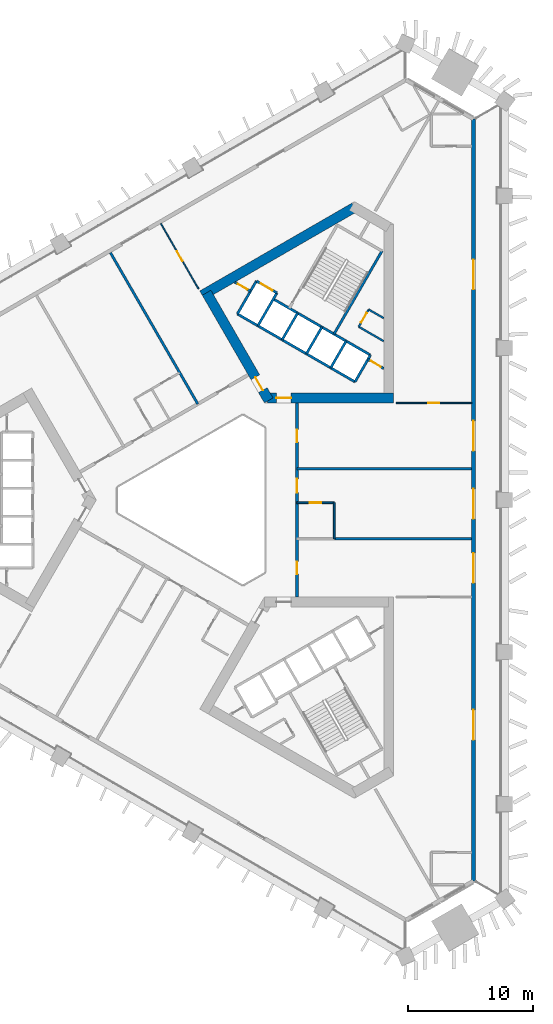
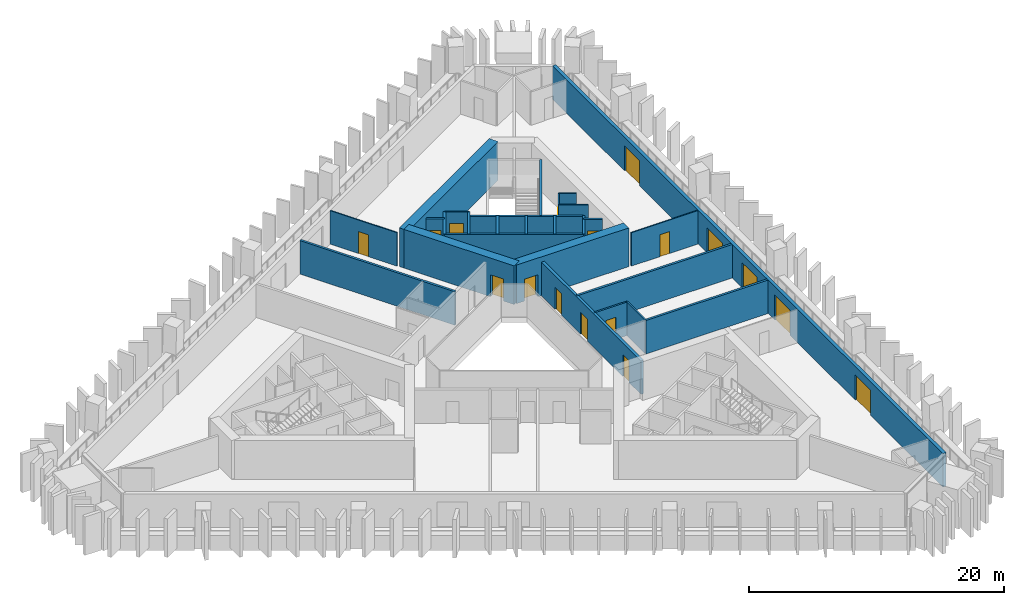
# One storey, part 5 of 10: 27 walls, 17 doors, 17 openings.
"""IFC4 building model written with IfcOpenShell, lengths in metres."""

from ifc_helpers import new_model, si_unit, direction, frame, frame_2d, origin, place, context, subcontext, project, spatial, rectangle, extrude, material, layer, layer_set, type_object, element, fill, save


model = new_model("IFC4")

# Units and contexts
model_context = context("Model", 3, precision=1e-05, world=origin(), true_north=direction((0.0, 1.0)))
body_context = subcontext(model_context, "Body", "Model", "MODEL_VIEW")
ifc_project = project(units=[si_unit("LENGTHUNIT", "METRE"), si_unit("AREAUNIT", "SQUARE_METRE"), si_unit("VOLUMEUNIT", "CUBIC_METRE"), si_unit("PLANEANGLEUNIT", "RADIAN"), si_unit("MASSUNIT", "GRAM", prefix="KILO")], contexts=[model_context])

# Site, building, storey
site_placement = place(None, origin())
site = spatial("IfcSite", under=ifc_project, at=site_placement, CompositionType="ELEMENT")
building_placement = place(site_placement, origin())
building = spatial("IfcBuilding", under=site, at=building_placement, Name="Jabali Bay Hotel Tower and Convention Centre", CompositionType="ELEMENT")
storey_placement = place(building_placement, frame((0.0, 0.0, 41.10009765625)))
storey = spatial("IfcBuildingStorey", under=building, at=storey_placement, Name="L08", CompositionType="ELEMENT", Elevation=41.10009765625)

# Wall, opening, door
ifc_material_1 = material(Name="Concrete C40", Category="concrete")
ifc_layer_1 = layer(ifc_material_1, 0.199951171875)
ifc_layer_set_1 = layer_set([ifc_layer_1], Name="Concrete C40")
wall_type_1 = type_object("IfcWallType", Name="Core partition wall 200", PredefinedType="PARTITIONING", material=ifc_layer_set_1)
wall_1_placement = place(storey_placement, frame((89.080078125, 90.553955078125, 0.0), z_axis=(0.0, 0.0, 1.0), x_axis=(-0.866022048785, 0.500005810984, 0.0)))
wall_1 = element("IfcWall", 1, at=wall_1_placement, inside=storey, type_object=wall_type_1, Name="Core wall 1.11 L08", PredefinedType="PARTITIONING", context=body_context, shape_type="SweptSolid", body=[
    extrude(rectangle(XDim=1.466796875, YDim=0.199951171875, at=frame_2d((0.7333984375, 0.0))), origin(), (0.0, 0.0, 1.0), 3.199951171875),
])
opening_1_placement = place(wall_1_placement, frame((0.283447265625, 0.0, 0.0)))
opening_1 = element("IfcOpeningElement", 2, at=opening_1_placement, cuts=wall_1, Name="Opening D261", PredefinedType="OPENING", context=body_context, shape_type="SweptSolid", body=[
    extrude(rectangle(XDim=0.89990234375, YDim=2.10009765625, at=frame_2d((0.449951171875, 1.050048828125))), frame((0.0, 0.1103515625, 0.0), z_axis=(0.0, -1.0, 0.0), x_axis=(1.0, 0.0, 0.0)), (0.0, 0.0, 1.0), 0.220947265625),
])
ifc_material_2 = material(Name="Fire-rated steel door", Category="steel")
door_type_1 = type_object("IfcDoorType", Name="Vestibule fire door 900 x 2100", OperationType="NOTDEFINED", PredefinedType="NOTDEFINED", material=ifc_material_2)
door_1_placement = place(opening_1_placement, origin())
door_1 = element("IfcDoor", 3, at=door_1_placement, inside=storey, type_object=door_type_1, Name="Vestibule fire door D261", OperationType="SINGLE_SWING_LEFT", OverallHeight=2.10009765625, OverallWidth=0.89990234375, PredefinedType="NOTDEFINED", context=body_context, shape_type="SweptSolid", body=[
    extrude(rectangle(XDim=0.89990234375, YDim=2.10009765625, at=frame_2d((0.449951171875, 1.050048828125))), frame((0.0, 0.02490234375, 0.0), z_axis=(0.0, -1.0, 0.0), x_axis=(1.0, 0.0, 0.0)), (0.0, 0.0, 1.0), 0.050048828125),
])
fill(opening_1, door_1)

wall_2_placement = place(storey_placement, frame((78.380126953125, 96.754638671875, 0.0), z_axis=(0.0, 0.0, 1.0), x_axis=(-0.866003949776, 0.500037157592, 0.0)))
wall_2 = element("IfcWall", 4, at=wall_2_placement, inside=storey, type_object=wall_type_1, Name="Core wall 1.12 L08", PredefinedType="PARTITIONING", context=body_context, shape_type="SweptSolid", body=[
    extrude(rectangle(XDim=1.455078125, YDim=0.199951171875, at=frame_2d((0.7275390625, 0.0))), origin(), (0.0, 0.0, 1.0), 3.199951171875),
])
opening_2_placement = place(wall_2_placement, frame((0.277587890625, 0.0, 0.0)))
opening_2 = element("IfcOpeningElement", 5, at=opening_2_placement, cuts=wall_2, Name="Opening D260", PredefinedType="OPENING", context=body_context, shape_type="SweptSolid", body=[
    extrude(rectangle(XDim=0.89990234375, YDim=2.10009765625, at=frame_2d((0.449951171875, 1.050048828125))), frame((0.0, 0.1103515625, 0.0), z_axis=(0.0, -1.0, 0.0), x_axis=(1.0, 0.0, 0.0)), (0.0, 0.0, 1.0), 0.220947265625),
])
door_2_placement = place(opening_2_placement, origin())
door_2 = element("IfcDoor", 6, at=door_2_placement, inside=storey, type_object=door_type_1, Name="Vestibule fire door D260", OperationType="SINGLE_SWING_LEFT", OverallHeight=2.10009765625, OverallWidth=0.89990234375, PredefinedType="NOTDEFINED", context=body_context, shape_type="SweptSolid", body=[
    extrude(rectangle(XDim=0.89990234375, YDim=2.10009765625, at=frame_2d((0.449951171875, 1.050048828125))), frame((0.0, 0.02490234375, 0.0), z_axis=(0.0, -1.0, 0.0), x_axis=(1.0, 0.0, 0.0)), (0.0, 0.0, 1.0), 0.050048828125),
])
fill(opening_2, door_2)

ifc_material_3 = material(Name="Fire-rated board partition")
ifc_layer_2 = layer(ifc_material_3, 0.14990234375)
ifc_layer_set_2 = layer_set([ifc_layer_2], Name="Fire-rated board partition")
wall_type_2 = type_object("IfcWallType", Name="Core room partition 150", PredefinedType="PARTITIONING", material=ifc_layer_set_2)
wall_3_placement = place(storey_placement, frame((87.071044921875, 93.90771484375, 0.0), z_axis=(0.0, 0.0, 1.0), x_axis=(0.499995408039, 0.866028054938, 0.0)))
wall_3 = element("IfcWall", 7, at=wall_3_placement, inside=storey, type_object=wall_type_2, Name="Core wall 1.1 L08", PredefinedType="PARTITIONING", context=body_context, shape_type="SweptSolid", body=[
    extrude(rectangle(XDim=1.60009765625, YDim=0.14990234375, at=frame_2d((0.800048828125, 0.0))), origin(), (0.0, 0.0, 1.0), 3.199951171875),
])
opening_3_placement = place(wall_3_placement, frame((0.387451171875, 0.0, 0.0)))
opening_3 = element("IfcOpeningElement", 8, at=opening_3_placement, cuts=wall_3, Name="Opening D263", PredefinedType="OPENING", context=body_context, shape_type="SweptSolid", body=[
    extrude(rectangle(XDim=0.89990234375, YDim=2.10009765625, at=frame_2d((0.449951171875, 1.050048828125))), frame((0.0, 0.08544921875, 0.0), z_axis=(0.0, -1.0, 0.0), x_axis=(1.0, 0.0, 0.0)), (0.0, 0.0, 1.0), 0.1708984375),
])
door_type_2 = type_object("IfcDoorType", Name="Core room door 900 x 2100", OperationType="NOTDEFINED", PredefinedType="NOTDEFINED", material=ifc_material_2)
door_3_placement = place(opening_3_placement, origin())
door_3 = element("IfcDoor", 9, at=door_3_placement, inside=storey, type_object=door_type_2, Name="Core room door D263", OperationType="SINGLE_SWING_LEFT", OverallHeight=2.10009765625, OverallWidth=0.89990234375, PredefinedType="NOTDEFINED", context=body_context, shape_type="SweptSolid", body=[
    extrude(rectangle(XDim=0.89990234375, YDim=2.10009765625, at=frame_2d((0.449951171875, 1.050048828125))), frame((0.0, 0.02490234375, 0.0), z_axis=(0.0, -1.0, 0.0), x_axis=(1.0, 0.0, 0.0)), (0.0, 0.0, 1.0), 0.050048828125),
])
fill(opening_3, door_3)

# Walls
wall_4_placement = place(storey_placement, frame((89.080078125, 92.747802734375, 0.0), z_axis=(0.0, 0.0, 1.0), x_axis=(-0.866026103983, 0.499998787219, 0.0)))
element("IfcWall", 10, at=wall_4_placement, inside=storey, type_object=wall_type_2, Name="Core wall 1.15 L08", PredefinedType="PARTITIONING", context=body_context, shape_type="SweptSolid", body=[
    extrude(rectangle(XDim=2.31982421875, YDim=0.14990234375, at=frame_2d((1.159912109375, 0.0))), origin(), (0.0, 0.0, 1.0), 3.199951171875),
])
wall_5_placement = place(storey_placement, frame((89.080078125, 94.595458984375, 0.0), z_axis=(0.0, 0.0, 1.0), x_axis=(-0.866028321769, 0.499994945868, 0.0)))
element("IfcWall", 11, at=wall_5_placement, inside=storey, type_object=wall_type_2, Name="Core wall 1.16 L08", PredefinedType="PARTITIONING", context=body_context, shape_type="SweptSolid", body=[
    extrude(rectangle(XDim=1.39599609375, YDim=0.14990234375, at=frame_2d((0.697998046875, 0.0))), origin(), (0.0, 0.0, 1.0), 3.199951171875),
])
ifc_layer_3 = layer(ifc_material_1, 0.199951171875)
ifc_layer_set_3 = layer_set([ifc_layer_3], Name="Concrete C40")
wall_type_3 = type_object("IfcWallType", Name="Core stair wall 200", PredefinedType="SOLIDWALL", material=ifc_layer_set_3)
for number, where, z_axis, x_axis, name in (
    (12, (86.769775390625, 89.48583984375, 0.0), (0.0, 0.0, 1.0), (0.499961042966, 0.86604789447, 0.0), "Core wall 1.0 L08"),
    (13, (84.8212890625, 90.61083984375, 0.0), (0.0, 0.0, 1.0), (0.499961042966, 0.86604789447, 0.0), "Core wall 1.2 L08"),
):
    element("IfcWall", number, at=place(storey_placement, frame(where, z_axis=z_axis, x_axis=x_axis)), inside=storey, type_object=wall_type_3, Name=name, PredefinedType="SOLIDWALL", context=body_context, shape_type="SweptSolid", body=[
        extrude(rectangle(XDim=2.480224609375, YDim=0.199951171875, at=frame_2d((1.240234375, 0.0))), origin(), (0.0, 0.0, 1.0), 3.199951171875),
    ])
wall_6_placement = place(storey_placement, frame((85.0869140625, 93.3212890625, 0.0), z_axis=(0.0, 0.0, 1.0), x_axis=(0.500019787375, 0.866013979237, 0.0)))
element("IfcWall", 14, at=wall_6_placement, inside=storey, type_object=wall_type_3, Name="Core wall 1.3 L08", PredefinedType="SOLIDWALL", context=body_context, shape_type="SweptSolid", body=[
    extrude(rectangle(XDim=7.699951171875, YDim=0.199951171875, at=frame_2d((3.85009765625, 0.0))), origin(), (0.0, 0.0, 1.0), 3.199951171875),
])
for number, where, z_axis, x_axis, name in (
    (15, (82.872802734375, 91.73583984375, 0.0), (0.0, 0.0, 1.0), (0.499961042966, 0.86604789447, 0.0), "Core wall 1.4 L08"),
    (16, (80.924072265625, 92.86083984375, 0.0), (0.0, 0.0, 1.0), (0.499961042966, 0.86604789447, 0.0), "Core wall 1.6 L08"),
):
    element("IfcWall", number, at=place(storey_placement, frame(where, z_axis=z_axis, x_axis=x_axis)), inside=storey, type_object=wall_type_3, Name=name, PredefinedType="SOLIDWALL", context=body_context, shape_type="SweptSolid", body=[
        extrude(rectangle(XDim=2.480224609375, YDim=0.199951171875, at=frame_2d((1.240234375, 0.0))), origin(), (0.0, 0.0, 1.0), 3.199951171875),
    ])
for number, where, z_axis, x_axis, name in (
    (17, (78.9755859375, 93.98583984375, 0.0), (0.0, 0.0, 1.0), (0.499944174705, 0.866057632134, 0.0), "Core wall 1.8 L08"),
    (18, (77.330078125, 94.93603515625, 0.0), (0.0, 0.0, 1.0), (0.500038867431, 0.8660029625, 0.0), "Core wall 1.9 L08"),
):
    element("IfcWall", number, at=place(storey_placement, frame(where, z_axis=z_axis, x_axis=x_axis)), inside=storey, type_object=wall_type_3, Name=name, PredefinedType="SOLIDWALL", context=body_context, shape_type="SweptSolid", body=[
        extrude(rectangle(XDim=3.050048828125, YDim=0.199951171875, at=frame_2d((1.52490234375, 0.0))), origin(), (0.0, 0.0, 1.0), 3.199951171875),
    ])
wall_7_placement = place(storey_placement, frame((86.769775390625, 89.48583984375, 0.0), z_axis=(0.0, 0.0, 1.0), x_axis=(-0.86601811187, 0.500012629753, 0.0)))
element("IfcWall", 19, at=wall_7_placement, inside=storey, type_object=wall_type_3, Name="Core wall 1.10 L08", PredefinedType="SOLIDWALL", context=body_context, shape_type="SweptSolid", body=[
    extrude(rectangle(XDim=10.900146484375, YDim=0.199951171875, at=frame_2d((5.4501953125, 0.0))), origin(), (0.0, 0.0, 1.0), 3.199951171875),
])
wall_8_placement = place(storey_placement, frame((88.009765625, 91.6337890625, 0.0), z_axis=(0.0, 0.0, 1.0), x_axis=(-0.866024315419, 0.5000018851, 0.0)))
element("IfcWall", 20, at=wall_8_placement, inside=storey, type_object=wall_type_3, Name="Core wall 1.13 L08", PredefinedType="SOLIDWALL", context=body_context, shape_type="SweptSolid", body=[
    extrude(rectangle(XDim=9.0, YDim=0.199951171875, at=frame_2d((4.5, 0.0))), origin(), (0.0, 0.0, 1.0), 3.199951171875),
])

# Wall, opening, door
wall_9_placement = place(storey_placement, frame((80.50048828125, 96.62744140625, 0.0), z_axis=(0.0, 0.0, 1.0), x_axis=(-0.86601224135, 0.500022797313, 0.0)))
wall_9 = element("IfcWall", 21, at=wall_9_placement, inside=storey, type_object=wall_type_3, Name="Core wall 1.14 L08", PredefinedType="SOLIDWALL", context=body_context, shape_type="SweptSolid", body=[
    extrude(rectangle(XDim=1.89990234375, YDim=0.199951171875, at=frame_2d((0.949951171875, 0.0))), origin(), (0.0, 0.0, 1.0), 3.199951171875),
])
opening_4_placement = place(wall_9_placement, frame((0.39990234375, 0.0, 0.0)))
opening_4 = element("IfcOpeningElement", 22, at=opening_4_placement, cuts=wall_9, Name="Opening LD10-L08", PredefinedType="OPENING", context=body_context, shape_type="SweptSolid", body=[
    extrude(rectangle(XDim=1.10009765625, YDim=2.10009765625, at=frame_2d((0.550048828125, 1.050048828125))), frame((0.0, 0.1103515625, 0.0), z_axis=(0.0, -1.0, 0.0), x_axis=(1.0, 0.0, 0.0)), (0.0, 0.0, 1.0), 0.220947265625),
])
ifc_material_4 = material(Name="Stainless steel landing door", Category="steel")
door_type_3 = type_object("IfcDoorType", Name="Landing door 1100 x 2100", OperationType="NOTDEFINED", PredefinedType="NOTDEFINED", material=ifc_material_4)
door_4_placement = place(opening_4_placement, origin())
door_4 = element("IfcDoor", 23, at=door_4_placement, inside=storey, type_object=door_type_3, Name="Landing doors LD10-L08", OperationType="SLIDING_TO_RIGHT", OverallHeight=2.10009765625, OverallWidth=1.10009765625, PredefinedType="NOTDEFINED", context=body_context, shape_type="SweptSolid", body=[
    extrude(rectangle(XDim=1.10009765625, YDim=2.10009765625, at=frame_2d((0.550048828125, 1.050048828125))), frame((0.0, 0.02490234375, 0.0), z_axis=(0.0, -1.0, 0.0), x_axis=(1.0, 0.0, 0.0)), (0.0, 0.0, 1.0), 0.050048828125),
])
fill(opening_4, door_4)

ifc_material_5 = material(Name="Concrete C60", Category="concrete")
ifc_layer_4 = layer(ifc_material_5, 0.800048828125)
ifc_layer_set_4 = layer_set([ifc_layer_4], Name="Concrete C60")
wall_type_4 = type_object("IfcWallType", Name="Core wall 800", PredefinedType="SHEAR", material=ifc_layer_set_4)
wall_10_placement = place(storey_placement, frame((79.73095703125, 88.1943359375, 0.0), z_axis=(0.0, 0.0, 1.0), x_axis=(1.0, 0.0, 0.0)))
wall_10 = element("IfcWall", 24, at=wall_10_placement, inside=storey, type_object=wall_type_4, Name="Core wall 2.1 L08", PredefinedType="SHEAR", context=body_context, shape_type="SweptSolid", body=[
    extrude(rectangle(XDim=10.14892578125, YDim=0.800048828125, at=frame_2d((5.074462890625, 0.0))), origin(), (0.0, 0.0, 1.0), 3.699951171875),
])
opening_5_placement = place(wall_10_placement, frame((0.718994140625, 0.0, 0.0)))
opening_5 = element("IfcOpeningElement", 25, at=opening_5_placement, cuts=wall_10, Name="Opening D258", PredefinedType="OPENING", context=body_context, shape_type="SweptSolid", body=[
    extrude(rectangle(XDim=1.199951171875, YDim=2.10009765625, at=frame_2d((0.60009765625, 1.050048828125))), frame((0.0, 0.41064453125, 0.0), z_axis=(0.0, -1.0, 0.0), x_axis=(1.0, 0.0, 0.0)), (0.0, 0.0, 1.0), 0.821044921875),
])
door_type_4 = type_object("IfcDoorType", Name="Corridor end fire door 1200 x 2100", OperationType="NOTDEFINED", PredefinedType="NOTDEFINED", material=ifc_material_2)
door_5_placement = place(opening_5_placement, origin())
door_5 = element("IfcDoor", 26, at=door_5_placement, inside=storey, type_object=door_type_4, Name="Corridor end fire door D258", OperationType="SINGLE_SWING_RIGHT", OverallHeight=2.10009765625, OverallWidth=1.199951171875, PredefinedType="NOTDEFINED", context=body_context, shape_type="SweptSolid", body=[
    extrude(rectangle(XDim=1.199951171875, YDim=2.10009765625, at=frame_2d((0.60009765625, 1.050048828125))), frame((0.0, 0.02490234375, 0.0), z_axis=(0.0, -1.0, 0.0), x_axis=(1.0, 0.0, 0.0)), (0.0, 0.0, 1.0), 0.050048828125),
])
fill(opening_5, door_5)

# Wall
wall_11_placement = place(storey_placement, frame((86.72314453125, 103.48828125, 0.0), z_axis=(0.0, 0.0, 1.0), x_axis=(-0.866032504327, -0.499987701298, 0.0)))
element("IfcWall", 27, at=wall_11_placement, inside=storey, type_object=wall_type_4, Name="Core wall 2.4 L08", PredefinedType="SHEAR", context=body_context, shape_type="SweptSolid", body=[
    extrude(rectangle(XDim=14.102294921875, YDim=0.800048828125, at=frame_2d((7.05126953125, 0.0))), origin(), (0.0, 0.0, 1.0), 3.699951171875),
])

# Wall, opening, door
wall_12_placement = place(storey_placement, frame((74.8564453125, 96.63720703125, 0.0), z_axis=(0.0, 0.0, 1.0), x_axis=(0.499993500917, -0.866029155999, 0.0)))
wall_12 = element("IfcWall", 28, at=wall_12_placement, inside=storey, type_object=wall_type_4, Name="Core wall 2.5 L08", PredefinedType="SHEAR", context=body_context, shape_type="SweptSolid", body=[
    extrude(rectangle(XDim=9.980224609375, YDim=0.800048828125, at=frame_2d((4.990234375, 0.0))), origin(), (0.0, 0.0, 1.0), 3.699951171875),
])
opening_6_placement = place(wall_12_placement, frame((7.830078125, 0.0, 0.0)))
opening_6 = element("IfcOpeningElement", 29, at=opening_6_placement, cuts=wall_12, Name="Opening D259", PredefinedType="OPENING", context=body_context, shape_type="SweptSolid", body=[
    extrude(rectangle(XDim=1.199951171875, YDim=2.10009765625, at=frame_2d((0.60009765625, 1.050048828125))), frame((0.0, 0.41064453125, 0.0), z_axis=(0.0, -1.0, 0.0), x_axis=(1.0, 0.0, 0.0)), (0.0, 0.0, 1.0), 0.821044921875),
])
door_6_placement = place(opening_6_placement, origin())
door_6 = element("IfcDoor", 30, at=door_6_placement, inside=storey, type_object=door_type_4, Name="Corridor end fire door D259", OperationType="SINGLE_SWING_LEFT", OverallHeight=2.10009765625, OverallWidth=1.199951171875, PredefinedType="NOTDEFINED", context=body_context, shape_type="SweptSolid", body=[
    extrude(rectangle(XDim=1.199951171875, YDim=2.10009765625, at=frame_2d((0.60009765625, 1.050048828125))), frame((0.0, 0.02490234375, 0.0), z_axis=(0.0, -1.0, 0.0), x_axis=(1.0, 0.0, 0.0)), (0.0, 0.0, 1.0), 0.050048828125),
])
fill(opening_6, door_6)

# Wall, openings, doors
ifc_layer_5 = layer(ifc_material_5, 0.25)
ifc_layer_set_5 = layer_set([ifc_layer_5], Name="Concrete C60")
wall_type_5 = type_object("IfcWallType", Name="Corridor wall 250", PredefinedType="SHEAR", material=ifc_layer_set_5)
wall_13_placement = place(storey_placement, frame((82.10009765625, 72.205810546875, 0.0), z_axis=(0.0, 0.0, 1.0), x_axis=(0.0, 1.0, 0.0)))
wall_13 = element("IfcWall", 31, at=wall_13_placement, inside=storey, type_object=wall_type_5, Name="Corridor wall 1 L08", PredefinedType="SHEAR", context=body_context, shape_type="SweptSolid", body=[
    extrude(rectangle(XDim=15.58837890625, YDim=0.25, at=frame_2d((7.794189453125, 0.0))), origin(), (0.0, 0.0, 1.0), 3.199951171875),
])
opening_7_placement = place(wall_13_placement, frame((1.83837890625, 0.0, 0.0)))
opening_7 = element("IfcOpeningElement", 32, at=opening_7_placement, cuts=wall_13, Name="Opening 0801", PredefinedType="OPENING", context=body_context, shape_type="SweptSolid", body=[
    extrude(rectangle(XDim=1.0, YDim=2.10009765625, at=frame_2d((0.5, 1.050048828125))), frame((0.0, 0.135498046875, 0.0), z_axis=(0.0, -1.0, 0.0), x_axis=(1.0, 0.0, 0.0)), (0.0, 0.0, 1.0), 0.27099609375),
])
opening_8_placement = place(wall_13_placement, frame((8.382568359375, 0.0, 0.0)))
opening_8 = element("IfcOpeningElement", 33, at=opening_8_placement, cuts=wall_13, Name="Opening 0805", PredefinedType="OPENING", context=body_context, shape_type="SweptSolid", body=[
    extrude(rectangle(XDim=1.10009765625, YDim=2.10009765625, at=frame_2d((0.550048828125, 1.050048828125))), frame((0.0, 0.135498046875, 0.0), z_axis=(0.0, -1.0, 0.0), x_axis=(1.0, 0.0, 0.0)), (0.0, 0.0, 1.0), 0.27099609375),
])
opening_9_placement = place(wall_13_placement, frame((12.4384765625, 0.0, 0.0)))
opening_9 = element("IfcOpeningElement", 34, at=opening_9_placement, cuts=wall_13, Name="Opening 0806", PredefinedType="OPENING", context=body_context, shape_type="SweptSolid", body=[
    extrude(rectangle(XDim=1.0, YDim=2.10009765625, at=frame_2d((0.5, 1.050048828125))), frame((0.0, 0.135498046875, 0.0), z_axis=(0.0, -1.0, 0.0), x_axis=(1.0, 0.0, 0.0)), (0.0, 0.0, 1.0), 0.27099609375),
])
ifc_material_6 = material(Name="Timber", Category="wood")
door_type_5 = type_object("IfcDoorType", Name="Accessible guest room door 1100 x 2100", OperationType="NOTDEFINED", PredefinedType="NOTDEFINED", material=ifc_material_6)
door_7_placement = place(opening_8_placement, origin())
door_7 = element("IfcDoor", 35, at=door_7_placement, inside=storey, type_object=door_type_5, Name="Door 0805", OperationType="SINGLE_SWING_RIGHT", OverallHeight=2.10009765625, OverallWidth=1.10009765625, PredefinedType="NOTDEFINED", context=body_context, shape_type="SweptSolid", body=[
    extrude(rectangle(XDim=1.10009765625, YDim=2.10009765625, at=frame_2d((0.550048828125, 1.050048828125))), frame((0.0, 0.02490234375, 0.0), z_axis=(0.0, -1.0, 0.0), x_axis=(1.0, 0.0, 0.0)), (0.0, 0.0, 1.0), 0.050048828125),
])
fill(opening_8, door_7)
door_type_6 = type_object("IfcDoorType", Name="Guest room door 1000 x 2100", OperationType="NOTDEFINED", PredefinedType="NOTDEFINED", material=ifc_material_6)
door_8_placement = place(opening_7_placement, origin())
door_8 = element("IfcDoor", 36, at=door_8_placement, inside=storey, type_object=door_type_6, Name="Door 0801", OperationType="SINGLE_SWING_LEFT", OverallHeight=2.10009765625, OverallWidth=1.0, PredefinedType="NOTDEFINED", context=body_context, shape_type="SweptSolid", body=[
    extrude(rectangle(XDim=1.0, YDim=2.10009765625, at=frame_2d((0.5, 1.050048828125))), frame((0.0, 0.02490234375, 0.0), z_axis=(0.0, -1.0, 0.0), x_axis=(1.0, 0.0, 0.0)), (0.0, 0.0, 1.0), 0.050048828125),
])
fill(opening_7, door_8)
door_9_placement = place(opening_9_placement, origin())
door_9 = element("IfcDoor", 37, at=door_9_placement, inside=storey, type_object=door_type_6, Name="Door 0806", OperationType="SINGLE_SWING_RIGHT", OverallHeight=2.10009765625, OverallWidth=1.0, PredefinedType="NOTDEFINED", context=body_context, shape_type="SweptSolid", body=[
    extrude(rectangle(XDim=1.0, YDim=2.10009765625, at=frame_2d((0.5, 1.050048828125))), frame((0.0, 0.02490234375, 0.0), z_axis=(0.0, -1.0, 0.0), x_axis=(1.0, 0.0, 0.0)), (0.0, 0.0, 1.0), 0.050048828125),
])
fill(opening_9, door_9)

ifc_layer_6 = layer(ifc_material_1, 0.300048828125)
ifc_layer_set_6 = layer_set([ifc_layer_6], Name="Concrete C40")
wall_type_6 = type_object("IfcWallType", Name="External wall 300", PredefinedType="SOLIDWALL", material=ifc_layer_set_6)
wall_14_placement = place(storey_placement, frame((96.27587890625, 110.590087890625, 0.0), z_axis=(0.0, 0.0, 1.0), x_axis=(0.0, -1.0, 0.0)))
wall_14 = element("IfcWall", 38, at=wall_14_placement, inside=storey, type_object=wall_type_6, Name="External wall east face L08", PredefinedType="SOLIDWALL", context=body_context, shape_type="SweptSolid", body=[
    extrude(rectangle(XDim=61.18017578125, YDim=0.300048828125, at=frame_2d((30.590087890625, 0.0))), origin(), (0.0, 0.0, 1.0), 3.199951171875),
])
opening_10_placement = place(wall_14_placement, frame((29.701904296875, 0.0, 0.0)))
opening_10 = element("IfcOpeningElement", 39, at=opening_10_placement, cuts=wall_14, Name="Opening SD1", PredefinedType="OPENING", context=body_context, shape_type="SweptSolid", body=[
    extrude(rectangle(XDim=2.39990234375, YDim=2.39990234375, at=frame_2d((1.199951171875, 1.199951171875))), frame((0.0, 0.16064453125, 0.0), z_axis=(0.0, -1.0, 0.0), x_axis=(1.0, 0.0, 0.0)), (0.0, 0.0, 1.0), 0.321044921875),
])
opening_11_placement = place(wall_14_placement, frame((34.84619140625, 0.0, 0.0)))
opening_11 = element("IfcOpeningElement", 40, at=opening_11_placement, cuts=wall_14, Name="Opening SD1", PredefinedType="OPENING", context=body_context, shape_type="SweptSolid", body=[
    extrude(rectangle(XDim=2.39990234375, YDim=2.39990234375, at=frame_2d((1.199951171875, 1.199951171875))), frame((0.0, 0.16064453125, 0.0), z_axis=(0.0, -1.0, 0.0), x_axis=(1.0, 0.0, 0.0)), (0.0, 0.0, 1.0), 0.321044921875),
])
opening_12_placement = place(wall_14_placement, frame((47.43896484375, 0.0, 0.0)))
opening_12 = element("IfcOpeningElement", 41, at=opening_12_placement, cuts=wall_14, Name="Opening SD1", PredefinedType="OPENING", context=body_context, shape_type="SweptSolid", body=[
    extrude(rectangle(XDim=2.39990234375, YDim=2.39990234375, at=frame_2d((1.199951171875, 1.199951171875))), frame((0.0, 0.16064453125, 0.0), z_axis=(0.0, -1.0, 0.0), x_axis=(1.0, 0.0, 0.0)), (0.0, 0.0, 1.0), 0.321044921875),
])
opening_13_placement = place(wall_14_placement, frame((24.24609375, 0.0, 0.0)))
opening_13 = element("IfcOpeningElement", 42, at=opening_13_placement, cuts=wall_14, Name="Opening SD1", PredefinedType="OPENING", context=body_context, shape_type="SweptSolid", body=[
    extrude(rectangle(XDim=2.39990234375, YDim=2.39990234375, at=frame_2d((1.199951171875, 1.199951171875))), frame((0.0, 0.16064453125, 0.0), z_axis=(0.0, -1.0, 0.0), x_axis=(1.0, 0.0, 0.0)), (0.0, 0.0, 1.0), 0.321044921875),
])
opening_14_placement = place(wall_14_placement, frame((11.286865234375, 0.0, 0.0)))
opening_14 = element("IfcOpeningElement", 43, at=opening_14_placement, cuts=wall_14, Name="Opening SD1", PredefinedType="OPENING", context=body_context, shape_type="SweptSolid", body=[
    extrude(rectangle(XDim=2.39990234375, YDim=2.39990234375, at=frame_2d((1.199951171875, 1.199951171875))), frame((0.0, 0.16064453125, 0.0), z_axis=(0.0, -1.0, 0.0), x_axis=(1.0, 0.0, 0.0)), (0.0, 0.0, 1.0), 0.321044921875),
])
ifc_material_7 = material(Name="Glass", Category="glass")
door_type_7 = type_object("IfcDoorType", Name="Loggia sliding door 2400 x 2400", OperationType="NOTDEFINED", PredefinedType="NOTDEFINED", material=ifc_material_7)
door_10_placement = place(opening_10_placement, origin())
door_10 = element("IfcDoor", 44, at=door_10_placement, inside=storey, type_object=door_type_7, Name="Loggia sliding door 802", OperationType="SLIDING_TO_LEFT", OverallHeight=2.39990234375, OverallWidth=2.39990234375, PredefinedType="NOTDEFINED", context=body_context, shape_type="SweptSolid", body=[
    extrude(rectangle(XDim=2.39990234375, YDim=2.39990234375, at=frame_2d((1.199951171875, 1.199951171875))), frame((0.0, 0.02490234375, 0.0), z_axis=(0.0, -1.0, 0.0), x_axis=(1.0, 0.0, 0.0)), (0.0, 0.0, 1.0), 0.050048828125),
])
fill(opening_10, door_10)
door_11_placement = place(opening_11_placement, origin())
door_11 = element("IfcDoor", 45, at=door_11_placement, inside=storey, type_object=door_type_7, Name="Loggia sliding door 801", OperationType="SLIDING_TO_RIGHT", OverallHeight=2.39990234375, OverallWidth=2.39990234375, PredefinedType="NOTDEFINED", context=body_context, shape_type="SweptSolid", body=[
    extrude(rectangle(XDim=2.39990234375, YDim=2.39990234375, at=frame_2d((1.199951171875, 1.199951171875))), frame((0.0, 0.02490234375, 0.0), z_axis=(0.0, -1.0, 0.0), x_axis=(1.0, 0.0, 0.0)), (0.0, 0.0, 1.0), 0.050048828125),
])
fill(opening_11, door_11)
door_12_placement = place(opening_12_placement, origin())
door_12 = element("IfcDoor", 46, at=door_12_placement, inside=storey, type_object=door_type_7, Name="Loggia sliding door 801", OperationType="SLIDING_TO_LEFT", OverallHeight=2.39990234375, OverallWidth=2.39990234375, PredefinedType="NOTDEFINED", context=body_context, shape_type="SweptSolid", body=[
    extrude(rectangle(XDim=2.39990234375, YDim=2.39990234375, at=frame_2d((1.199951171875, 1.199951171875))), frame((0.0, 0.02490234375, 0.0), z_axis=(0.0, -1.0, 0.0), x_axis=(1.0, 0.0, 0.0)), (0.0, 0.0, 1.0), 0.050048828125),
])
fill(opening_12, door_12)
door_13_placement = place(opening_13_placement, origin())
door_13 = element("IfcDoor", 47, at=door_13_placement, inside=storey, type_object=door_type_7, Name="Loggia sliding door 803", OperationType="SLIDING_TO_RIGHT", OverallHeight=2.39990234375, OverallWidth=2.39990234375, PredefinedType="NOTDEFINED", context=body_context, shape_type="SweptSolid", body=[
    extrude(rectangle(XDim=2.39990234375, YDim=2.39990234375, at=frame_2d((1.199951171875, 1.199951171875))), frame((0.0, 0.02490234375, 0.0), z_axis=(0.0, -1.0, 0.0), x_axis=(1.0, 0.0, 0.0)), (0.0, 0.0, 1.0), 0.050048828125),
])
fill(opening_13, door_13)
door_14_placement = place(opening_14_placement, origin())
door_14 = element("IfcDoor", 48, at=door_14_placement, inside=storey, type_object=door_type_7, Name="Loggia sliding door 803", OperationType="SLIDING_TO_LEFT", OverallHeight=2.39990234375, OverallWidth=2.39990234375, PredefinedType="NOTDEFINED", context=body_context, shape_type="SweptSolid", body=[
    extrude(rectangle(XDim=2.39990234375, YDim=2.39990234375, at=frame_2d((1.199951171875, 1.199951171875))), frame((0.0, 0.02490234375, 0.0), z_axis=(0.0, -1.0, 0.0), x_axis=(1.0, 0.0, 0.0)), (0.0, 0.0, 1.0), 0.050048828125),
])
fill(opening_14, door_14)

# Wall, opening, door
ifc_material_8 = material(Name="Plasterboard on steel stud", Category="steel")
ifc_layer_7 = layer(ifc_material_8, 0.10009765625)
ifc_layer_set_7 = layer_set([ifc_layer_7], Name="Plasterboard on steel stud")
wall_type_7 = type_object("IfcWallType", Name="Partition 100 unit", PredefinedType="PARTITIONING", material=ifc_layer_set_7)
wall_15_placement = place(storey_placement, frame((96.126953125, 87.794189453125, 0.0), z_axis=(0.0, 0.0, 1.0), x_axis=(-1.0, 0.0, 0.0)))
wall_15 = element("IfcWall", 49, at=wall_15_placement, inside=storey, type_object=wall_type_7, Name="Partition P02 L08 011", PredefinedType="PARTITIONING", context=body_context, shape_type="SweptSolid", body=[
    extrude(rectangle(XDim=6.0478515625, YDim=0.10009765625, at=frame_2d((3.02392578125, 0.0))), origin(), (0.0, 0.0, 1.0), 3.199951171875),
])
opening_15_placement = place(wall_15_placement, frame((2.573974609375, 0.0, 0.0)))
opening_15 = element("IfcOpeningElement", 50, at=opening_15_placement, cuts=wall_15, Name="Opening 0807", PredefinedType="OPENING", context=body_context, shape_type="SweptSolid", body=[
    extrude(rectangle(XDim=0.89990234375, YDim=2.10009765625, at=frame_2d((0.449951171875, 1.050048828125))), frame((0.0, 0.060546875, 0.0), z_axis=(0.0, -1.0, 0.0), x_axis=(1.0, 0.0, 0.0)), (0.0, 0.0, 1.0), 0.12109375),
])
door_type_8 = type_object("IfcDoorType", Name="Internal door 900 x 2100", OperationType="NOTDEFINED", PredefinedType="NOTDEFINED", material=ifc_material_6)
door_15_placement = place(opening_15_placement, origin())
door_15 = element("IfcDoor", 51, at=door_15_placement, inside=storey, type_object=door_type_8, Name="Door 0807", OperationType="SINGLE_SWING_RIGHT", OverallHeight=2.10009765625, OverallWidth=0.89990234375, PredefinedType="NOTDEFINED", context=body_context, shape_type="SweptSolid", body=[
    extrude(rectangle(XDim=0.89990234375, YDim=2.10009765625, at=frame_2d((0.449951171875, 1.050048828125))), frame((0.0, 0.02490234375, 0.0), z_axis=(0.0, -1.0, 0.0), x_axis=(1.0, 0.0, 0.0)), (0.0, 0.0, 1.0), 0.050048828125),
])
fill(opening_15, door_15)

wall_16_placement = place(storey_placement, frame((74.21044921875, 96.955810546875, 0.0), z_axis=(0.0, 0.0, 1.0), x_axis=(-0.499985689571, 0.866033665757, 0.0)))
wall_16 = element("IfcWall", 52, at=wall_16_placement, inside=storey, type_object=wall_type_7, Name="Partition P02 L08 016", PredefinedType="PARTITIONING", context=body_context, shape_type="SweptSolid", body=[
    extrude(rectangle(XDim=6.048095703125, YDim=0.10009765625, at=frame_2d((3.02392578125, 0.0))), origin(), (0.0, 0.0, 1.0), 3.199951171875),
])
opening_16_placement = place(wall_16_placement, frame((2.573974609375, 0.0, 0.0)))
opening_16 = element("IfcOpeningElement", 53, at=opening_16_placement, cuts=wall_16, Name="Opening 0810", PredefinedType="OPENING", context=body_context, shape_type="SweptSolid", body=[
    extrude(rectangle(XDim=0.89990234375, YDim=2.10009765625, at=frame_2d((0.449951171875, 1.050048828125))), frame((0.0, 0.060546875, 0.0), z_axis=(0.0, -1.0, 0.0), x_axis=(1.0, 0.0, 0.0)), (0.0, 0.0, 1.0), 0.12109375),
])
door_16_placement = place(opening_16_placement, origin())
door_16 = element("IfcDoor", 54, at=door_16_placement, inside=storey, type_object=door_type_8, Name="Door 0810", OperationType="SINGLE_SWING_RIGHT", OverallHeight=2.10009765625, OverallWidth=0.89990234375, PredefinedType="NOTDEFINED", context=body_context, shape_type="SweptSolid", body=[
    extrude(rectangle(XDim=0.89990234375, YDim=2.10009765625, at=frame_2d((0.449951171875, 1.050048828125))), frame((0.0, 0.02490234375, 0.0), z_axis=(0.0, -1.0, 0.0), x_axis=(1.0, 0.0, 0.0)), (0.0, 0.0, 1.0), 0.050048828125),
])
fill(opening_16, door_16)

ifc_layer_8 = layer(ifc_material_8, 0.14990234375)
ifc_layer_set_8 = layer_set([ifc_layer_8], Name="Plasterboard on steel stud")
wall_type_8 = type_object("IfcWallType", Name="Partition 150 wet", PredefinedType="PARTITIONING", material=ifc_layer_set_8)
wall_17_placement = place(storey_placement, frame((82.10009765625, 79.7822265625, 0.0), z_axis=(0.0, 0.0, 1.0), x_axis=(1.0, 0.0, 0.0)))
wall_17 = element("IfcWall", 55, at=wall_17_placement, inside=storey, type_object=wall_type_8, Name="Partition P03 L08 008", PredefinedType="PARTITIONING", context=body_context, shape_type="SweptSolid", body=[
    extrude(rectangle(XDim=3.0, YDim=0.14990234375, at=frame_2d((1.5, 0.0))), origin(), (0.0, 0.0, 1.0), 3.199951171875),
])
opening_17_placement = place(wall_17_placement, frame((1.050048828125, 0.0, 0.0)))
opening_17 = element("IfcOpeningElement", 56, at=opening_17_placement, cuts=wall_17, Name="Opening 0804", PredefinedType="OPENING", context=body_context, shape_type="SweptSolid", body=[
    extrude(rectangle(XDim=0.89990234375, YDim=2.10009765625, at=frame_2d((0.449951171875, 1.050048828125))), frame((0.0, 0.08544921875, 0.0), z_axis=(0.0, -1.0, 0.0), x_axis=(1.0, 0.0, 0.0)), (0.0, 0.0, 1.0), 0.1708984375),
])
door_type_9 = type_object("IfcDoorType", Name="Accessible en-suite door 900 x 2100", OperationType="NOTDEFINED", PredefinedType="NOTDEFINED", material=ifc_material_6)
door_17_placement = place(opening_17_placement, origin())
door_17 = element("IfcDoor", 57, at=door_17_placement, inside=storey, type_object=door_type_9, Name="Door 0804", OperationType="SINGLE_SWING_LEFT", OverallHeight=2.10009765625, OverallWidth=0.89990234375, PredefinedType="NOTDEFINED", context=body_context, shape_type="SweptSolid", body=[
    extrude(rectangle(XDim=0.89990234375, YDim=2.10009765625, at=frame_2d((0.449951171875, 1.050048828125))), frame((0.0, 0.02490234375, 0.0), z_axis=(0.0, -1.0, 0.0), x_axis=(1.0, 0.0, 0.0)), (0.0, 0.0, 1.0), 0.050048828125),
])
fill(opening_17, door_17)

# Walls
wall_18_placement = place(storey_placement, frame((85.10009765625, 79.7822265625, 0.0), z_axis=(0.0, 0.0, 1.0), x_axis=(0.0, -1.0, 0.0)))
element("IfcWall", 58, at=wall_18_placement, inside=storey, type_object=wall_type_8, Name="Partition P03 L08 009", PredefinedType="PARTITIONING", context=body_context, shape_type="SweptSolid", body=[
    extrude(rectangle(XDim=2.89990234375, YDim=0.14990234375, at=frame_2d((1.449951171875, 0.0))), origin(), (0.0, 0.0, 1.0), 3.199951171875),
])
ifc_layer_9 = layer(ifc_material_8, 0.199951171875)
ifc_layer_set_9 = layer_set([ifc_layer_9], Name="Plasterboard on steel stud")
wall_type_9 = type_object("IfcWallType", Name="Partition 200 party", PredefinedType="PARTITIONING", material=ifc_layer_set_9)
wall_19_placement = place(storey_placement, frame((96.126953125, 76.88232421875, 0.0), z_axis=(0.0, 0.0, 1.0), x_axis=(-1.0, 0.0, 0.0)))
element("IfcWall", 59, at=wall_19_placement, inside=storey, type_object=wall_type_9, Name="Partition P01 L08 002", PredefinedType="PARTITIONING", context=body_context, shape_type="SweptSolid", body=[
    extrude(rectangle(XDim=11.02685546875, YDim=0.199951171875, at=frame_2d((5.513427734375, 0.0))), origin(), (0.0, 0.0, 1.0), 3.199951171875),
])
for number, where, z_axis, x_axis, name in (
    (60, (96.126953125, 82.494140625, 0.0), (0.0, 0.0, 1.0), (-1.0, 0.0, 0.0), "Partition P01 L08 010"),
    (61, (67.136474609375, 99.855224609375, 0.0), (0.0, 0.0, 1.0), (0.499997162821, -0.866027041824, 0.0), "Partition P01 L08 017"),
):
    element("IfcWall", number, at=place(storey_placement, frame(where, z_axis=z_axis, x_axis=x_axis)), inside=storey, type_object=wall_type_9, Name=name, PredefinedType="PARTITIONING", context=body_context, shape_type="SweptSolid", body=[
        extrude(rectangle(XDim=14.02685546875, YDim=0.199951171875, at=frame_2d((7.013427734375, 0.0))), origin(), (0.0, 0.0, 1.0), 3.199951171875),
    ])

save(model, "model.ifc")
